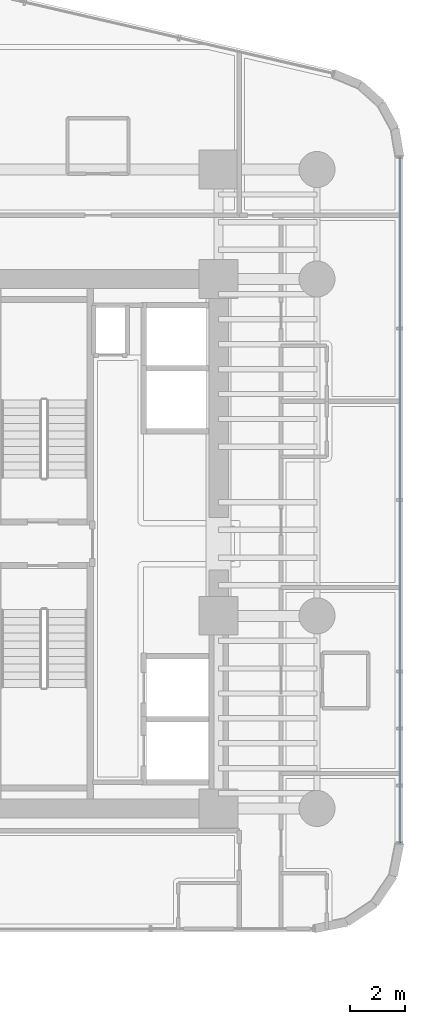
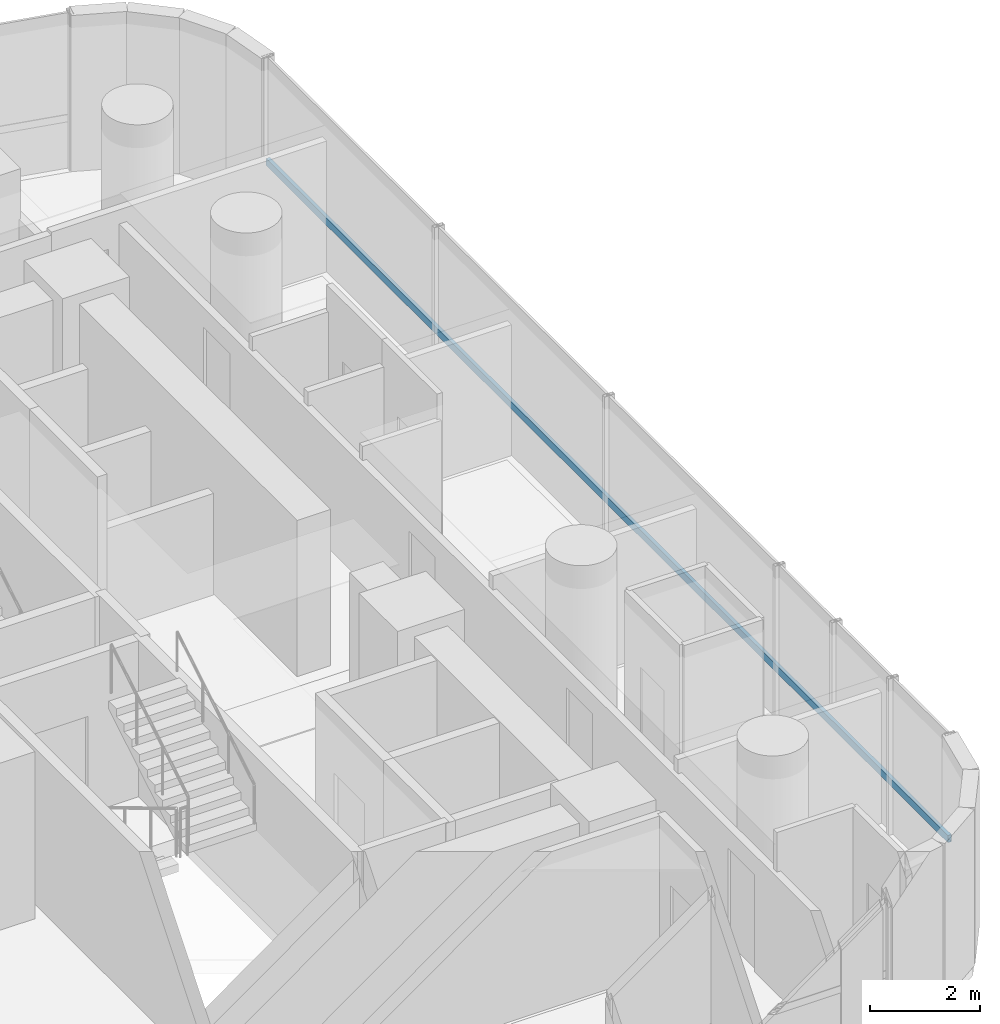
# One storey, part 26 of 41: 1 member, 1 element without a shape of its own.
"""IFC4 building model written with IfcOpenShell, lengths in metres."""

from ifc_helpers import new_model, si_unit, direction, frame, origin, origin_2d, place, context, subcontext, project, spatial, hollow_rectangle, extrude, source, transform, mapped, material, material_profile, profile_set, type_object, element, aggregate, save


model = new_model("IFC4")

# Units and contexts
model_context = context("Model", 3, precision=1e-05, world=origin(), true_north=direction((0.0, 1.0)))
body_context = subcontext(model_context, "Body", "Model", "MODEL_VIEW")
ifc_project = project(units=[si_unit("LENGTHUNIT", "METRE"), si_unit("AREAUNIT", "SQUARE_METRE"), si_unit("VOLUMEUNIT", "CUBIC_METRE"), si_unit("PLANEANGLEUNIT", "RADIAN"), si_unit("MASSUNIT", "GRAM", prefix="KILO")], contexts=[model_context])

# Site, building, storey
site_placement = place(None, origin())
site = spatial("IfcSite", under=ifc_project, at=site_placement, CompositionType="ELEMENT")
building_placement = place(site_placement, origin())
building = spatial("IfcBuilding", under=site, at=building_placement, Name="Valdorenza Pilgrim Sanctuary Tower", CompositionType="ELEMENT")
storey_placement = place(building_placement, frame((0.0, 0.0, 63.0)))
storey = spatial("IfcBuildingStorey", under=building, at=storey_placement, Name="L15", CompositionType="ELEMENT", Elevation=63.0)

# Curtain wall, member
ifc_material_1 = material(Name="Curtain-wall IGU glazing", Category="glass")
curtain_wall_type = type_object("IfcCurtainWallType", Name="CW-SYS-03", PredefinedType="NOTDEFINED", material=ifc_material_1)
curtain_wall_placement = place(storey_placement, origin())
curtain_wall = element("IfcCurtainWall", 1, at=curtain_wall_placement, inside=storey, type_object=curtain_wall_type, Name="L15 Curtain Wall CW-L15-1-21", PredefinedType="NOTDEFINED")
ifc_material_2 = material(Name="Anodised aluminium AW-6060", Category="aluminium")
ifc_material_profile = material_profile(ifc_material_2, hollow_rectangle(XDim=0.074951171875, YDim=0.159912109375, WallThickness=0.00390625, at=origin_2d()), Name="ALU-T 160x75x4")
ifc_profile_set = profile_set([ifc_material_profile], Name="Anodised aluminium AW-6060")
member_type = type_object("IfcMemberType", Name="CW-TRN-03", PredefinedType="USERDEFINED", material=ifc_profile_set)
shared_shape = source(origin(), body_context, "Body", "SweptSolid", [
    extrude(hollow_rectangle(XDim=0.074951171875, YDim=0.159912109375, WallThickness=0.00390625, at=origin_2d()), origin(), (0.0, 0.0, 1.0), 24.734375),
])
member_placement = place(storey_placement, frame((31.389892578125, 13.945068359375, 1.1201171875), z_axis=(0.0, -1.0, 0.0), x_axis=(1.0, 0.0, 0.0)))
member = element("IfcMember", 2, at=member_placement, type_object=member_type, Name="CW-L15-1-21 Transom 1", ObjectType="TRANSOM", PredefinedType="USERDEFINED", context=body_context, shape_type="MappedRepresentation", body=[
    mapped(shared_shape, transform((0.0, 0.0, 0.0), x_axis=(1.0, 0.0, 0.0), y_axis=(0.0, 1.0, 0.0), z_axis=(0.0, 0.0, 1.0), scale=1.0)),
])
aggregate(curtain_wall, [member])

save(model, "model.ifc")
